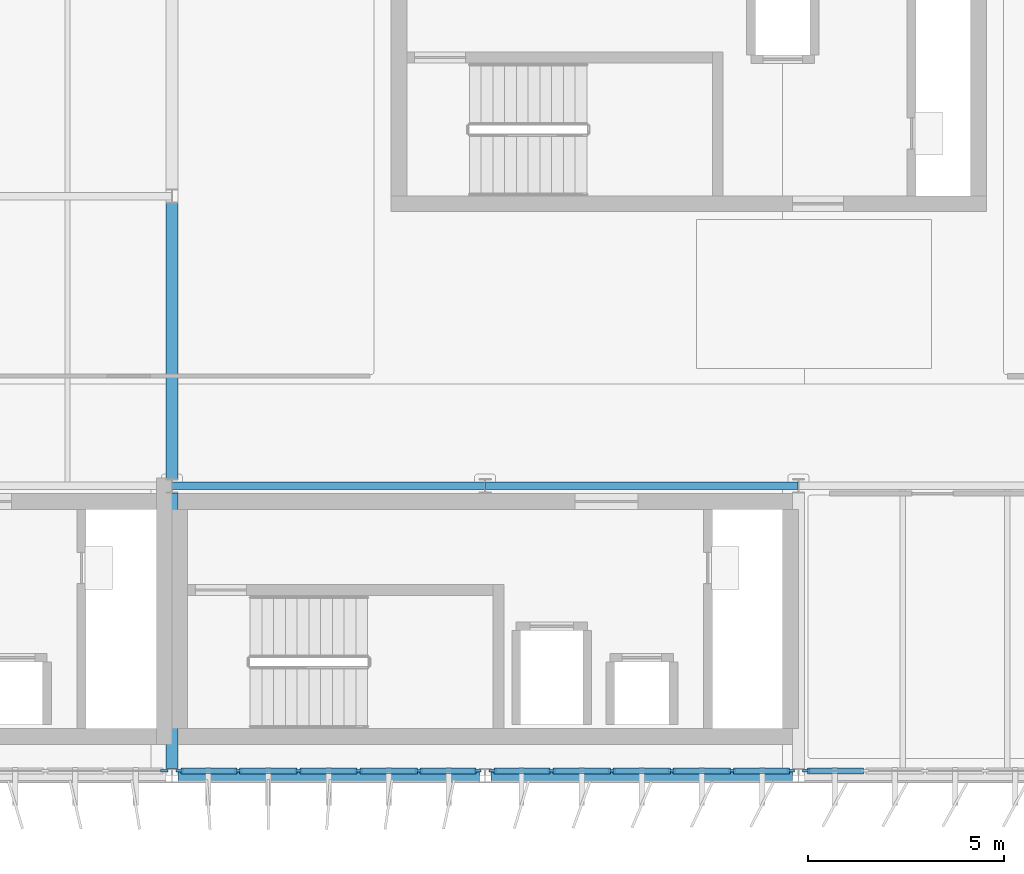
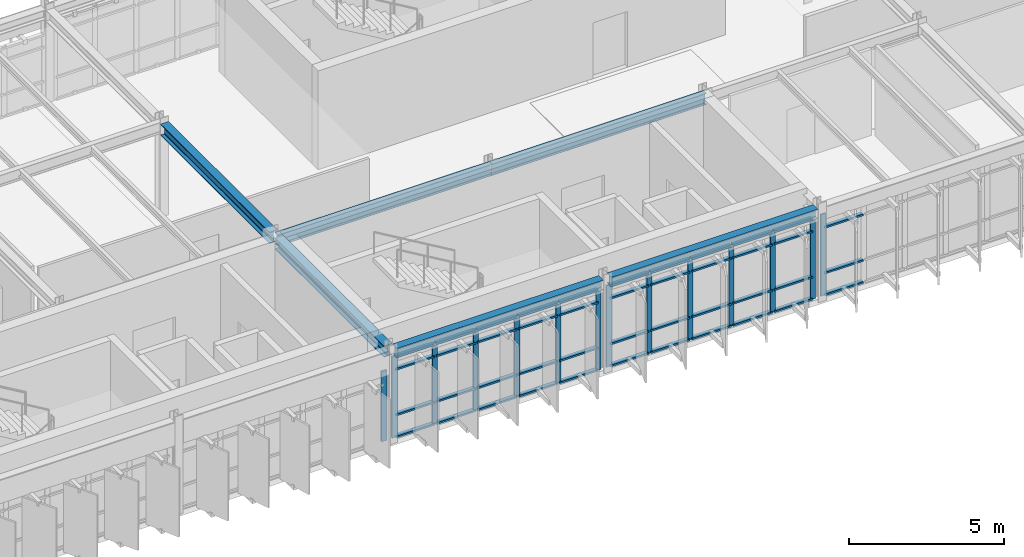
# One storey, part 11 of 45: 57 members, 6 beams, 4 elements without a shape of their own.
"""IFC4 building model written with IfcOpenShell, lengths in metres."""

from ifc_helpers import new_model, si_unit, direction, frame, origin, origin_2d, place, context, subcontext, project, spatial, rectangle, i_section, extrude, material, layer, layer_set, material_profile, profile_set, type_object, element, aggregate, save


model = new_model("IFC4")

# Units and contexts
model_context = context("Model", 3, precision=1e-05, world=origin(), true_north=direction((0.0, 1.0)))
body_context = subcontext(model_context, "Body", "Model", "MODEL_VIEW")
ifc_project = project(units=[si_unit("LENGTHUNIT", "METRE"), si_unit("AREAUNIT", "SQUARE_METRE"), si_unit("VOLUMEUNIT", "CUBIC_METRE"), si_unit("PLANEANGLEUNIT", "RADIAN"), si_unit("MASSUNIT", "GRAM", prefix="KILO")], contexts=[model_context])

# Site, building, storey
site_placement = place(None, origin())
site = spatial("IfcSite", under=ifc_project, at=site_placement, CompositionType="ELEMENT")
building_placement = place(site_placement, origin())
building = spatial("IfcBuilding", under=site, at=building_placement, Name="Valkorina Park Police Headquarters", CompositionType="ELEMENT")
storey_placement = place(building_placement, frame((0.0, 0.0, 23.300048828125)))
storey = spatial("IfcBuildingStorey", under=building, at=storey_placement, Name="L06", CompositionType="ELEMENT", Elevation=23.300048828125)

# Beams
ifc_material_1 = material(Name="Steel S355", Category="steel")
ifc_material_profile_1 = material_profile(ifc_material_1, i_section(OverallWidth=0.300048828125, OverallDepth=0.389892578125, WebThickness=0.010986328125, FlangeThickness=0.01904296875, FilletRadius=0.027099609375, at=origin_2d()), Name="HEA 400")
ifc_profile_set_1 = profile_set([ifc_material_profile_1], Name="Steel S355")
beam_type_1 = type_object("IfcBeamType", Name="BM-S355-HEA400-SPN", PredefinedType="SPANDREL", material=ifc_profile_set_1)
for number, where, z_axis, x_axis, name in (
    (1, (32.949951171875, 37.0, 3.48486328125), (1.0, 0.0, 0.0), (0.0, 1.0, 0.0), "L06 Framing Beam 2606"),
    (2, (40.949951171875, 37.0, 3.48486328125), (1.0, 0.0, 0.0), (0.0, 1.0, 0.0), "L06 Framing Beam 2607"),
):
    element("IfcBeam", number, at=place(storey_placement, frame(where, z_axis=z_axis, x_axis=x_axis)), inside=storey, type_object=beam_type_1, Name=name, PredefinedType="SPANDREL", context=body_context, shape_type="SweptSolid", body=[
        extrude(i_section(OverallWidth=0.300048828125, OverallDepth=0.389892578125, WebThickness=0.010986328125, FlangeThickness=0.01904296875, FilletRadius=0.027099609375, at=origin_2d()), origin(), (0.0, 0.0, 1.0), 7.699951171875),
    ])
ifc_material_profile_2 = material_profile(ifc_material_1, i_section(OverallWidth=0.300048828125, OverallDepth=0.449951171875, WebThickness=0.013916015625, FlangeThickness=0.02587890625, FilletRadius=0.027099609375, at=origin_2d()), Name="HEB 450")
ifc_profile_set_2 = profile_set([ifc_material_profile_2], Name="Steel S355")
beam_type_2 = type_object("IfcBeamType", Name="BM-S355-HEB450-BM", PredefinedType="BEAM", material=ifc_profile_set_2)
for number, where, z_axis, x_axis, name in (
    (3, (32.800048828125, 37.179931640625, 3.454833984375), (0.0, 1.0, 0.0), (-1.0, 0.0, 0.0), "L06 Framing Beam 2686"),
    (4, (32.800048828125, 44.580078125, 3.454833984375), (0.0, 1.0, 0.0), (-1.0, 0.0, 0.0), "L06 Framing Beam 2687"),
):
    element("IfcBeam", number, at=place(storey_placement, frame(where, z_axis=z_axis, x_axis=x_axis)), inside=storey, type_object=beam_type_2, Name=name, PredefinedType="BEAM", context=body_context, shape_type="SweptSolid", body=[
        extrude(i_section(OverallWidth=0.300048828125, OverallDepth=0.449951171875, WebThickness=0.013916015625, FlangeThickness=0.02587890625, FilletRadius=0.027099609375, at=origin_2d()), origin(), (0.0, 0.0, 1.0), 7.0400390625),
    ])
ifc_material_profile_3 = material_profile(ifc_material_1, i_section(OverallWidth=0.18994140625, OverallDepth=0.449951171875, WebThickness=0.009521484375, FlangeThickness=0.0146484375, FilletRadius=0.02099609375, at=origin_2d()), Name="IPE 450")
ifc_profile_set_3 = profile_set([ifc_material_profile_3], Name="Steel S355")
beam_type_3 = type_object("IfcBeamType", Name="BM-S355-IPE450-BM", PredefinedType="BEAM", material=ifc_profile_set_3)
for number, where, z_axis, x_axis, name in (
    (5, (32.806396484375, 44.39990234375, 3.454833984375), (1.0, 0.0, 0.0), (0.0, 1.0, 0.0), "L06 Framing Beam 2618"),
    (6, (40.806396484375, 44.39990234375, 3.454833984375), (1.0, 0.0, 0.0), (0.0, 1.0, 0.0), "L06 Framing Beam 2619"),
):
    element("IfcBeam", number, at=place(storey_placement, frame(where, z_axis=z_axis, x_axis=x_axis)), inside=storey, type_object=beam_type_3, Name=name, PredefinedType="BEAM", context=body_context, shape_type="SweptSolid", body=[
        extrude(i_section(OverallWidth=0.18994140625, OverallDepth=0.449951171875, WebThickness=0.009521484375, FlangeThickness=0.0146484375, FilletRadius=0.02099609375, at=origin_2d()), origin(), (0.0, 0.0, 1.0), 7.9873046875),
    ])

# Curtain wall, member
ifc_material_2 = material(Name="Thermally broken aluminium AW-6060", Category="aluminium")
ifc_layer_1 = layer(ifc_material_2, 0.18994140625)
ifc_layer_set_1 = layer_set([ifc_layer_1], Name="Thermally broken aluminium AW-6060")
curtain_wall_type_1 = type_object("IfcCurtainWallType", Name="CW-V5-7680x3220", PredefinedType="NOTDEFINED", material=ifc_layer_set_1)
curtain_wall_1_placement = place(storey_placement, origin())
curtain_wall_1 = element("IfcCurtainWall", 7, at=curtain_wall_1_placement, inside=storey, type_object=curtain_wall_type_1, Name="L06 Unitised Curtain Wall 126", PredefinedType="NOTDEFINED")
ifc_material_profile_4 = material_profile(ifc_material_2, rectangle(XDim=0.070068359375, YDim=0.18994140625, at=origin_2d()), Name="CWM-02 70x190")
ifc_profile_set_4 = profile_set([ifc_material_profile_4], Name="Thermally broken aluminium AW-6060")
member_type_1 = type_object("IfcMemberType", Name="CWM-70x190", PredefinedType="MULLION", material=ifc_profile_set_4)
member_1_placement = place(storey_placement, frame((48.9951171875, 37.1201171875, 0.0), z_axis=(0.0, 0.0, 1.0), x_axis=(0.0, -1.0, 0.0)))
member_1 = element("IfcMember", 8, at=member_1_placement, type_object=member_type_1, Name="CW-V5-768-322 mullion 6", PredefinedType="MULLION", context=body_context, shape_type="SweptSolid", body=[
    extrude(rectangle(XDim=0.070068359375, YDim=0.18994140625, at=origin_2d()), origin(), (0.0, 0.0, 1.0), 3.219970703125),
])

# Curtain wall, members
curtain_wall_2_placement = place(storey_placement, origin())
curtain_wall_2 = element("IfcCurtainWall", 9, at=curtain_wall_2_placement, inside=storey, type_object=curtain_wall_type_1, Name="L06 Unitised Curtain Wall 127", PredefinedType="NOTDEFINED")
member_2_placement = place(storey_placement, frame((48.60498046875, 37.1201171875, 0.0), z_axis=(0.0, 0.0, 1.0), x_axis=(0.0, -1.0, 0.0)))
member_2 = element("IfcMember", 10, at=member_2_placement, type_object=member_type_1, Name="CW-V5-768-322 mullion 1", PredefinedType="MULLION", context=body_context, shape_type="SweptSolid", body=[
    extrude(rectangle(XDim=0.070068359375, YDim=0.18994140625, at=origin_2d()), origin(), (0.0, 0.0, 1.0), 3.219970703125),
])
member_3_placement = place(storey_placement, frame((47.10400390625, 37.1201171875, 0.0), z_axis=(0.0, 0.0, 1.0), x_axis=(0.0, -1.0, 0.0)))
member_3 = element("IfcMember", 11, at=member_3_placement, type_object=member_type_1, Name="CW-V5-768-322 mullion 2", PredefinedType="MULLION", context=body_context, shape_type="SweptSolid", body=[
    extrude(rectangle(XDim=0.070068359375, YDim=0.18994140625, at=origin_2d()), origin(), (0.0, 0.0, 1.0), 3.219970703125),
])
member_4_placement = place(storey_placement, frame((45.568115234375, 37.1201171875, 0.0), z_axis=(0.0, 0.0, 1.0), x_axis=(0.0, -1.0, 0.0)))
member_4 = element("IfcMember", 12, at=member_4_placement, type_object=member_type_1, Name="CW-V5-768-322 mullion 3", PredefinedType="MULLION", context=body_context, shape_type="SweptSolid", body=[
    extrude(rectangle(XDim=0.070068359375, YDim=0.18994140625, at=origin_2d()), origin(), (0.0, 0.0, 1.0), 3.219970703125),
])
member_5_placement = place(storey_placement, frame((44.031982421875, 37.1201171875, 0.0), z_axis=(0.0, 0.0, 1.0), x_axis=(0.0, -1.0, 0.0)))
member_5 = element("IfcMember", 13, at=member_5_placement, type_object=member_type_1, Name="CW-V5-768-322 mullion 4", PredefinedType="MULLION", context=body_context, shape_type="SweptSolid", body=[
    extrude(rectangle(XDim=0.070068359375, YDim=0.18994140625, at=origin_2d()), origin(), (0.0, 0.0, 1.0), 3.219970703125),
])
member_6_placement = place(storey_placement, frame((42.49609375, 37.1201171875, 0.0), z_axis=(0.0, 0.0, 1.0), x_axis=(0.0, -1.0, 0.0)))
member_6 = element("IfcMember", 14, at=member_6_placement, type_object=member_type_1, Name="CW-V5-768-322 mullion 5", PredefinedType="MULLION", context=body_context, shape_type="SweptSolid", body=[
    extrude(rectangle(XDim=0.070068359375, YDim=0.18994140625, at=origin_2d()), origin(), (0.0, 0.0, 1.0), 3.219970703125),
])
member_7_placement = place(storey_placement, frame((40.9951171875, 37.1201171875, 0.0), z_axis=(0.0, 0.0, 1.0), x_axis=(0.0, -1.0, 0.0)))
member_7 = element("IfcMember", 15, at=member_7_placement, type_object=member_type_1, Name="CW-V5-768-322 mullion 6", PredefinedType="MULLION", context=body_context, shape_type="SweptSolid", body=[
    extrude(rectangle(XDim=0.070068359375, YDim=0.18994140625, at=origin_2d()), origin(), (0.0, 0.0, 1.0), 3.219970703125),
])

curtain_wall_3_placement = place(storey_placement, origin())
curtain_wall_3 = element("IfcCurtainWall", 16, at=curtain_wall_3_placement, inside=storey, type_object=curtain_wall_type_1, Name="L06 Unitised Curtain Wall 128", PredefinedType="NOTDEFINED")
member_8_placement = place(storey_placement, frame((40.60498046875, 37.1201171875, 0.0), z_axis=(0.0, 0.0, 1.0), x_axis=(0.0, -1.0, 0.0)))
member_8 = element("IfcMember", 17, at=member_8_placement, type_object=member_type_1, Name="CW-V5-768-322 mullion 1", PredefinedType="MULLION", context=body_context, shape_type="SweptSolid", body=[
    extrude(rectangle(XDim=0.070068359375, YDim=0.18994140625, at=origin_2d()), origin(), (0.0, 0.0, 1.0), 3.219970703125),
])
member_9_placement = place(storey_placement, frame((39.10400390625, 37.1201171875, 0.0), z_axis=(0.0, 0.0, 1.0), x_axis=(0.0, -1.0, 0.0)))
member_9 = element("IfcMember", 18, at=member_9_placement, type_object=member_type_1, Name="CW-V5-768-322 mullion 2", PredefinedType="MULLION", context=body_context, shape_type="SweptSolid", body=[
    extrude(rectangle(XDim=0.070068359375, YDim=0.18994140625, at=origin_2d()), origin(), (0.0, 0.0, 1.0), 3.219970703125),
])
member_10_placement = place(storey_placement, frame((37.568115234375, 37.1201171875, 0.0), z_axis=(0.0, 0.0, 1.0), x_axis=(0.0, -1.0, 0.0)))
member_10 = element("IfcMember", 19, at=member_10_placement, type_object=member_type_1, Name="CW-V5-768-322 mullion 3", PredefinedType="MULLION", context=body_context, shape_type="SweptSolid", body=[
    extrude(rectangle(XDim=0.070068359375, YDim=0.18994140625, at=origin_2d()), origin(), (0.0, 0.0, 1.0), 3.219970703125),
])
member_11_placement = place(storey_placement, frame((36.031982421875, 37.1201171875, 0.0), z_axis=(0.0, 0.0, 1.0), x_axis=(0.0, -1.0, 0.0)))
member_11 = element("IfcMember", 20, at=member_11_placement, type_object=member_type_1, Name="CW-V5-768-322 mullion 4", PredefinedType="MULLION", context=body_context, shape_type="SweptSolid", body=[
    extrude(rectangle(XDim=0.070068359375, YDim=0.18994140625, at=origin_2d()), origin(), (0.0, 0.0, 1.0), 3.219970703125),
])
member_12_placement = place(storey_placement, frame((34.49609375, 37.1201171875, 0.0), z_axis=(0.0, 0.0, 1.0), x_axis=(0.0, -1.0, 0.0)))
member_12 = element("IfcMember", 21, at=member_12_placement, type_object=member_type_1, Name="CW-V5-768-322 mullion 5", PredefinedType="MULLION", context=body_context, shape_type="SweptSolid", body=[
    extrude(rectangle(XDim=0.070068359375, YDim=0.18994140625, at=origin_2d()), origin(), (0.0, 0.0, 1.0), 3.219970703125),
])
member_13_placement = place(storey_placement, frame((32.9951171875, 37.1201171875, 0.0), z_axis=(0.0, 0.0, 1.0), x_axis=(0.0, -1.0, 0.0)))
member_13 = element("IfcMember", 22, at=member_13_placement, type_object=member_type_1, Name="CW-V5-768-322 mullion 6", PredefinedType="MULLION", context=body_context, shape_type="SweptSolid", body=[
    extrude(rectangle(XDim=0.070068359375, YDim=0.18994140625, at=origin_2d()), origin(), (0.0, 0.0, 1.0), 3.219970703125),
])

# Curtain wall, member
ifc_layer_2 = layer(ifc_material_2, 0.18994140625)
ifc_layer_set_2 = layer_set([ifc_layer_2], Name="Thermally broken aluminium AW-6060")
curtain_wall_type_2 = type_object("IfcCurtainWallType", Name="CW-V5-7680x2770", PredefinedType="NOTDEFINED", material=ifc_layer_set_2)
curtain_wall_4_placement = place(storey_placement, origin())
curtain_wall_4 = element("IfcCurtainWall", 23, at=curtain_wall_4_placement, inside=storey, type_object=curtain_wall_type_2, Name="L06 Unitised Curtain Wall 129", PredefinedType="NOTDEFINED")
member_14_placement = place(storey_placement, frame((32.60498046875, 37.1201171875, 0.0), z_axis=(0.0, 0.0, 1.0), x_axis=(0.0, -1.0, 0.0)))
member_14 = element("IfcMember", 24, at=member_14_placement, type_object=member_type_1, Name="CW-V5-768-277 mullion 1", PredefinedType="MULLION", context=body_context, shape_type="SweptSolid", body=[
    extrude(rectangle(XDim=0.070068359375, YDim=0.18994140625, at=origin_2d()), origin(), (0.0, 0.0, 1.0), 2.77001953125),
])
aggregate(curtain_wall_4, [member_14])

# Member
ifc_material_profile_5 = material_profile(ifc_material_2, rectangle(XDim=0.14990234375, YDim=0.070068359375, at=origin_2d()), Name="CWT-02 150x70")
ifc_profile_set_5 = profile_set([ifc_material_profile_5], Name="Thermally broken aluminium AW-6060")
member_type_2 = type_object("IfcMemberType", Name="CWT-150x70", PredefinedType="USERDEFINED", material=ifc_profile_set_5)
member_15_placement = place(storey_placement, frame((50.4609375, 37.1201171875, 0.034912109375), z_axis=(-1.0, 0.0, 0.0), x_axis=(0.0, -1.0, 0.0)))
member_15 = element("IfcMember", 25, at=member_15_placement, type_object=member_type_2, Name="CW-V5-768-322 transom 5.1", ObjectType="TRANSOM", PredefinedType="USERDEFINED", context=body_context, shape_type="SweptSolid", body=[
    extrude(rectangle(XDim=0.14990234375, YDim=0.070068359375, at=origin_2d()), origin(), (0.0, 0.0, 1.0), 1.430908203125),
])

member_16_placement = place(storey_placement, frame((50.4609375, 37.1201171875, 0.89990234375), z_axis=(-1.0, 0.0, 0.0), x_axis=(0.0, -1.0, 0.0)))
member_16 = element("IfcMember", 26, at=member_16_placement, type_object=member_type_2, Name="CW-V5-768-322 transom 5.2", ObjectType="TRANSOM", PredefinedType="USERDEFINED", context=body_context, shape_type="SweptSolid", body=[
    extrude(rectangle(XDim=0.14990234375, YDim=0.070068359375, at=origin_2d()), origin(), (0.0, 0.0, 1.0), 1.430908203125),
])

member_17_placement = place(storey_placement, frame((50.4609375, 37.1201171875, 2.699951171875), z_axis=(-1.0, 0.0, 0.0), x_axis=(0.0, -1.0, 0.0)))
member_17 = element("IfcMember", 27, at=member_17_placement, type_object=member_type_2, Name="CW-V5-768-322 transom 5.3", ObjectType="TRANSOM", PredefinedType="USERDEFINED", context=body_context, shape_type="SweptSolid", body=[
    extrude(rectangle(XDim=0.14990234375, YDim=0.070068359375, at=origin_2d()), origin(), (0.0, 0.0, 1.0), 1.430908203125),
])

aggregate(curtain_wall_1, [member_1, member_15, member_16, member_17])

member_18_placement = place(storey_placement, frame((48.570068359375, 37.1201171875, 0.034912109375), z_axis=(-1.0, 0.0, 0.0), x_axis=(0.0, -1.0, 0.0)))
member_18 = element("IfcMember", 28, at=member_18_placement, type_object=member_type_2, Name="CW-V5-768-322 transom 1.1", ObjectType="TRANSOM", PredefinedType="USERDEFINED", context=body_context, shape_type="SweptSolid", body=[
    extrude(rectangle(XDim=0.14990234375, YDim=0.070068359375, at=origin_2d()), origin(), (0.0, 0.0, 1.0), 1.43115234375),
])

member_19_placement = place(storey_placement, frame((48.570068359375, 37.1201171875, 0.89990234375), z_axis=(-1.0, 0.0, 0.0), x_axis=(0.0, -1.0, 0.0)))
member_19 = element("IfcMember", 29, at=member_19_placement, type_object=member_type_2, Name="CW-V5-768-322 transom 1.2", ObjectType="TRANSOM", PredefinedType="USERDEFINED", context=body_context, shape_type="SweptSolid", body=[
    extrude(rectangle(XDim=0.14990234375, YDim=0.070068359375, at=origin_2d()), origin(), (0.0, 0.0, 1.0), 1.43115234375),
])

member_20_placement = place(storey_placement, frame((48.570068359375, 37.1201171875, 2.699951171875), z_axis=(-1.0, 0.0, 0.0), x_axis=(0.0, -1.0, 0.0)))
member_20 = element("IfcMember", 30, at=member_20_placement, type_object=member_type_2, Name="CW-V5-768-322 transom 1.3", ObjectType="TRANSOM", PredefinedType="USERDEFINED", context=body_context, shape_type="SweptSolid", body=[
    extrude(rectangle(XDim=0.14990234375, YDim=0.070068359375, at=origin_2d()), origin(), (0.0, 0.0, 1.0), 1.43115234375),
])

member_21_placement = place(storey_placement, frame((48.570068359375, 37.1201171875, 3.18505859375), z_axis=(-1.0, 0.0, 0.0), x_axis=(0.0, -1.0, 0.0)))
member_21 = element("IfcMember", 31, at=member_21_placement, type_object=member_type_2, Name="CW-V5-768-322 transom 1.4", ObjectType="TRANSOM", PredefinedType="USERDEFINED", context=body_context, shape_type="SweptSolid", body=[
    extrude(rectangle(XDim=0.14990234375, YDim=0.070068359375, at=origin_2d()), origin(), (0.0, 0.0, 1.0), 1.43115234375),
])

member_22_placement = place(storey_placement, frame((47.069091796875, 37.1201171875, 0.034912109375), z_axis=(-1.0, 0.0, 0.0), x_axis=(0.0, -1.0, 0.0)))
member_22 = element("IfcMember", 32, at=member_22_placement, type_object=member_type_2, Name="CW-V5-768-322 transom 2.1", ObjectType="TRANSOM", PredefinedType="USERDEFINED", context=body_context, shape_type="SweptSolid", body=[
    extrude(rectangle(XDim=0.14990234375, YDim=0.070068359375, at=origin_2d()), origin(), (0.0, 0.0, 1.0), 1.466064453125),
])

member_23_placement = place(storey_placement, frame((47.069091796875, 37.1201171875, 0.89990234375), z_axis=(-1.0, 0.0, 0.0), x_axis=(0.0, -1.0, 0.0)))
member_23 = element("IfcMember", 33, at=member_23_placement, type_object=member_type_2, Name="CW-V5-768-322 transom 2.2", ObjectType="TRANSOM", PredefinedType="USERDEFINED", context=body_context, shape_type="SweptSolid", body=[
    extrude(rectangle(XDim=0.14990234375, YDim=0.070068359375, at=origin_2d()), origin(), (0.0, 0.0, 1.0), 1.466064453125),
])

member_24_placement = place(storey_placement, frame((47.069091796875, 37.1201171875, 2.699951171875), z_axis=(-1.0, 0.0, 0.0), x_axis=(0.0, -1.0, 0.0)))
member_24 = element("IfcMember", 34, at=member_24_placement, type_object=member_type_2, Name="CW-V5-768-322 transom 2.3", ObjectType="TRANSOM", PredefinedType="USERDEFINED", context=body_context, shape_type="SweptSolid", body=[
    extrude(rectangle(XDim=0.14990234375, YDim=0.070068359375, at=origin_2d()), origin(), (0.0, 0.0, 1.0), 1.466064453125),
])

member_25_placement = place(storey_placement, frame((47.069091796875, 37.1201171875, 3.18505859375), z_axis=(-1.0, 0.0, 0.0), x_axis=(0.0, -1.0, 0.0)))
member_25 = element("IfcMember", 35, at=member_25_placement, type_object=member_type_2, Name="CW-V5-768-322 transom 2.4", ObjectType="TRANSOM", PredefinedType="USERDEFINED", context=body_context, shape_type="SweptSolid", body=[
    extrude(rectangle(XDim=0.14990234375, YDim=0.070068359375, at=origin_2d()), origin(), (0.0, 0.0, 1.0), 1.466064453125),
])

member_26_placement = place(storey_placement, frame((45.532958984375, 37.1201171875, 0.034912109375), z_axis=(-1.0, 0.0, 0.0), x_axis=(0.0, -1.0, 0.0)))
member_26 = element("IfcMember", 36, at=member_26_placement, type_object=member_type_2, Name="CW-V5-768-322 transom 3.1", ObjectType="TRANSOM", PredefinedType="USERDEFINED", context=body_context, shape_type="SweptSolid", body=[
    extrude(rectangle(XDim=0.14990234375, YDim=0.070068359375, at=origin_2d()), origin(), (0.0, 0.0, 1.0), 1.466064453125),
])

member_27_placement = place(storey_placement, frame((45.532958984375, 37.1201171875, 0.89990234375), z_axis=(-1.0, 0.0, 0.0), x_axis=(0.0, -1.0, 0.0)))
member_27 = element("IfcMember", 37, at=member_27_placement, type_object=member_type_2, Name="CW-V5-768-322 transom 3.2", ObjectType="TRANSOM", PredefinedType="USERDEFINED", context=body_context, shape_type="SweptSolid", body=[
    extrude(rectangle(XDim=0.14990234375, YDim=0.070068359375, at=origin_2d()), origin(), (0.0, 0.0, 1.0), 1.466064453125),
])

member_28_placement = place(storey_placement, frame((45.532958984375, 37.1201171875, 2.699951171875), z_axis=(-1.0, 0.0, 0.0), x_axis=(0.0, -1.0, 0.0)))
member_28 = element("IfcMember", 38, at=member_28_placement, type_object=member_type_2, Name="CW-V5-768-322 transom 3.3", ObjectType="TRANSOM", PredefinedType="USERDEFINED", context=body_context, shape_type="SweptSolid", body=[
    extrude(rectangle(XDim=0.14990234375, YDim=0.070068359375, at=origin_2d()), origin(), (0.0, 0.0, 1.0), 1.466064453125),
])

member_29_placement = place(storey_placement, frame((45.532958984375, 37.1201171875, 3.18505859375), z_axis=(-1.0, 0.0, 0.0), x_axis=(0.0, -1.0, 0.0)))
member_29 = element("IfcMember", 39, at=member_29_placement, type_object=member_type_2, Name="CW-V5-768-322 transom 3.4", ObjectType="TRANSOM", PredefinedType="USERDEFINED", context=body_context, shape_type="SweptSolid", body=[
    extrude(rectangle(XDim=0.14990234375, YDim=0.070068359375, at=origin_2d()), origin(), (0.0, 0.0, 1.0), 1.466064453125),
])

member_30_placement = place(storey_placement, frame((43.9970703125, 37.1201171875, 0.034912109375), z_axis=(-1.0, 0.0, 0.0), x_axis=(0.0, -1.0, 0.0)))
member_30 = element("IfcMember", 40, at=member_30_placement, type_object=member_type_2, Name="CW-V5-768-322 transom 4.1", ObjectType="TRANSOM", PredefinedType="USERDEFINED", context=body_context, shape_type="SweptSolid", body=[
    extrude(rectangle(XDim=0.14990234375, YDim=0.070068359375, at=origin_2d()), origin(), (0.0, 0.0, 1.0), 1.466064453125),
])

member_31_placement = place(storey_placement, frame((43.9970703125, 37.1201171875, 0.89990234375), z_axis=(-1.0, 0.0, 0.0), x_axis=(0.0, -1.0, 0.0)))
member_31 = element("IfcMember", 41, at=member_31_placement, type_object=member_type_2, Name="CW-V5-768-322 transom 4.2", ObjectType="TRANSOM", PredefinedType="USERDEFINED", context=body_context, shape_type="SweptSolid", body=[
    extrude(rectangle(XDim=0.14990234375, YDim=0.070068359375, at=origin_2d()), origin(), (0.0, 0.0, 1.0), 1.466064453125),
])

member_32_placement = place(storey_placement, frame((43.9970703125, 37.1201171875, 2.699951171875), z_axis=(-1.0, 0.0, 0.0), x_axis=(0.0, -1.0, 0.0)))
member_32 = element("IfcMember", 42, at=member_32_placement, type_object=member_type_2, Name="CW-V5-768-322 transom 4.3", ObjectType="TRANSOM", PredefinedType="USERDEFINED", context=body_context, shape_type="SweptSolid", body=[
    extrude(rectangle(XDim=0.14990234375, YDim=0.070068359375, at=origin_2d()), origin(), (0.0, 0.0, 1.0), 1.466064453125),
])

member_33_placement = place(storey_placement, frame((43.9970703125, 37.1201171875, 3.18505859375), z_axis=(-1.0, 0.0, 0.0), x_axis=(0.0, -1.0, 0.0)))
member_33 = element("IfcMember", 43, at=member_33_placement, type_object=member_type_2, Name="CW-V5-768-322 transom 4.4", ObjectType="TRANSOM", PredefinedType="USERDEFINED", context=body_context, shape_type="SweptSolid", body=[
    extrude(rectangle(XDim=0.14990234375, YDim=0.070068359375, at=origin_2d()), origin(), (0.0, 0.0, 1.0), 1.466064453125),
])

member_34_placement = place(storey_placement, frame((42.4609375, 37.1201171875, 0.034912109375), z_axis=(-1.0, 0.0, 0.0), x_axis=(0.0, -1.0, 0.0)))
member_34 = element("IfcMember", 44, at=member_34_placement, type_object=member_type_2, Name="CW-V5-768-322 transom 5.1", ObjectType="TRANSOM", PredefinedType="USERDEFINED", context=body_context, shape_type="SweptSolid", body=[
    extrude(rectangle(XDim=0.14990234375, YDim=0.070068359375, at=origin_2d()), origin(), (0.0, 0.0, 1.0), 1.430908203125),
])

member_35_placement = place(storey_placement, frame((42.4609375, 37.1201171875, 0.89990234375), z_axis=(-1.0, 0.0, 0.0), x_axis=(0.0, -1.0, 0.0)))
member_35 = element("IfcMember", 45, at=member_35_placement, type_object=member_type_2, Name="CW-V5-768-322 transom 5.2", ObjectType="TRANSOM", PredefinedType="USERDEFINED", context=body_context, shape_type="SweptSolid", body=[
    extrude(rectangle(XDim=0.14990234375, YDim=0.070068359375, at=origin_2d()), origin(), (0.0, 0.0, 1.0), 1.430908203125),
])

member_36_placement = place(storey_placement, frame((42.4609375, 37.1201171875, 2.699951171875), z_axis=(-1.0, 0.0, 0.0), x_axis=(0.0, -1.0, 0.0)))
member_36 = element("IfcMember", 46, at=member_36_placement, type_object=member_type_2, Name="CW-V5-768-322 transom 5.3", ObjectType="TRANSOM", PredefinedType="USERDEFINED", context=body_context, shape_type="SweptSolid", body=[
    extrude(rectangle(XDim=0.14990234375, YDim=0.070068359375, at=origin_2d()), origin(), (0.0, 0.0, 1.0), 1.430908203125),
])

member_37_placement = place(storey_placement, frame((42.4609375, 37.1201171875, 3.18505859375), z_axis=(-1.0, 0.0, 0.0), x_axis=(0.0, -1.0, 0.0)))
member_37 = element("IfcMember", 47, at=member_37_placement, type_object=member_type_2, Name="CW-V5-768-322 transom 5.4", ObjectType="TRANSOM", PredefinedType="USERDEFINED", context=body_context, shape_type="SweptSolid", body=[
    extrude(rectangle(XDim=0.14990234375, YDim=0.070068359375, at=origin_2d()), origin(), (0.0, 0.0, 1.0), 1.430908203125),
])

aggregate(curtain_wall_2, [member_2, member_3, member_4, member_5, member_6, member_7, member_18, member_19, member_20, member_21, member_22, member_23, member_24, member_25, member_26, member_27, member_28, member_29, member_30, member_31, member_32, member_33, member_34, member_35, member_36, member_37])

member_38_placement = place(storey_placement, frame((40.570068359375, 37.1201171875, 0.034912109375), z_axis=(-1.0, 0.0, 0.0), x_axis=(0.0, -1.0, 0.0)))
member_38 = element("IfcMember", 48, at=member_38_placement, type_object=member_type_2, Name="CW-V5-768-322 transom 1.1", ObjectType="TRANSOM", PredefinedType="USERDEFINED", context=body_context, shape_type="SweptSolid", body=[
    extrude(rectangle(XDim=0.14990234375, YDim=0.070068359375, at=origin_2d()), origin(), (0.0, 0.0, 1.0), 1.43115234375),
])

member_39_placement = place(storey_placement, frame((40.570068359375, 37.1201171875, 0.89990234375), z_axis=(-1.0, 0.0, 0.0), x_axis=(0.0, -1.0, 0.0)))
member_39 = element("IfcMember", 49, at=member_39_placement, type_object=member_type_2, Name="CW-V5-768-322 transom 1.2", ObjectType="TRANSOM", PredefinedType="USERDEFINED", context=body_context, shape_type="SweptSolid", body=[
    extrude(rectangle(XDim=0.14990234375, YDim=0.070068359375, at=origin_2d()), origin(), (0.0, 0.0, 1.0), 1.43115234375),
])

member_40_placement = place(storey_placement, frame((40.570068359375, 37.1201171875, 2.699951171875), z_axis=(-1.0, 0.0, 0.0), x_axis=(0.0, -1.0, 0.0)))
member_40 = element("IfcMember", 50, at=member_40_placement, type_object=member_type_2, Name="CW-V5-768-322 transom 1.3", ObjectType="TRANSOM", PredefinedType="USERDEFINED", context=body_context, shape_type="SweptSolid", body=[
    extrude(rectangle(XDim=0.14990234375, YDim=0.070068359375, at=origin_2d()), origin(), (0.0, 0.0, 1.0), 1.43115234375),
])

member_41_placement = place(storey_placement, frame((40.570068359375, 37.1201171875, 3.18505859375), z_axis=(-1.0, 0.0, 0.0), x_axis=(0.0, -1.0, 0.0)))
member_41 = element("IfcMember", 51, at=member_41_placement, type_object=member_type_2, Name="CW-V5-768-322 transom 1.4", ObjectType="TRANSOM", PredefinedType="USERDEFINED", context=body_context, shape_type="SweptSolid", body=[
    extrude(rectangle(XDim=0.14990234375, YDim=0.070068359375, at=origin_2d()), origin(), (0.0, 0.0, 1.0), 1.43115234375),
])

member_42_placement = place(storey_placement, frame((39.069091796875, 37.1201171875, 0.034912109375), z_axis=(-1.0, 0.0, 0.0), x_axis=(0.0, -1.0, 0.0)))
member_42 = element("IfcMember", 52, at=member_42_placement, type_object=member_type_2, Name="CW-V5-768-322 transom 2.1", ObjectType="TRANSOM", PredefinedType="USERDEFINED", context=body_context, shape_type="SweptSolid", body=[
    extrude(rectangle(XDim=0.14990234375, YDim=0.070068359375, at=origin_2d()), origin(), (0.0, 0.0, 1.0), 1.466064453125),
])

member_43_placement = place(storey_placement, frame((39.069091796875, 37.1201171875, 0.89990234375), z_axis=(-1.0, 0.0, 0.0), x_axis=(0.0, -1.0, 0.0)))
member_43 = element("IfcMember", 53, at=member_43_placement, type_object=member_type_2, Name="CW-V5-768-322 transom 2.2", ObjectType="TRANSOM", PredefinedType="USERDEFINED", context=body_context, shape_type="SweptSolid", body=[
    extrude(rectangle(XDim=0.14990234375, YDim=0.070068359375, at=origin_2d()), origin(), (0.0, 0.0, 1.0), 1.466064453125),
])

member_44_placement = place(storey_placement, frame((39.069091796875, 37.1201171875, 2.699951171875), z_axis=(-1.0, 0.0, 0.0), x_axis=(0.0, -1.0, 0.0)))
member_44 = element("IfcMember", 54, at=member_44_placement, type_object=member_type_2, Name="CW-V5-768-322 transom 2.3", ObjectType="TRANSOM", PredefinedType="USERDEFINED", context=body_context, shape_type="SweptSolid", body=[
    extrude(rectangle(XDim=0.14990234375, YDim=0.070068359375, at=origin_2d()), origin(), (0.0, 0.0, 1.0), 1.466064453125),
])

member_45_placement = place(storey_placement, frame((39.069091796875, 37.1201171875, 3.18505859375), z_axis=(-1.0, 0.0, 0.0), x_axis=(0.0, -1.0, 0.0)))
member_45 = element("IfcMember", 55, at=member_45_placement, type_object=member_type_2, Name="CW-V5-768-322 transom 2.4", ObjectType="TRANSOM", PredefinedType="USERDEFINED", context=body_context, shape_type="SweptSolid", body=[
    extrude(rectangle(XDim=0.14990234375, YDim=0.070068359375, at=origin_2d()), origin(), (0.0, 0.0, 1.0), 1.466064453125),
])

member_46_placement = place(storey_placement, frame((37.532958984375, 37.1201171875, 0.034912109375), z_axis=(-1.0, 0.0, 0.0), x_axis=(0.0, -1.0, 0.0)))
member_46 = element("IfcMember", 56, at=member_46_placement, type_object=member_type_2, Name="CW-V5-768-322 transom 3.1", ObjectType="TRANSOM", PredefinedType="USERDEFINED", context=body_context, shape_type="SweptSolid", body=[
    extrude(rectangle(XDim=0.14990234375, YDim=0.070068359375, at=origin_2d()), origin(), (0.0, 0.0, 1.0), 1.466064453125),
])

member_47_placement = place(storey_placement, frame((37.532958984375, 37.1201171875, 0.89990234375), z_axis=(-1.0, 0.0, 0.0), x_axis=(0.0, -1.0, 0.0)))
member_47 = element("IfcMember", 57, at=member_47_placement, type_object=member_type_2, Name="CW-V5-768-322 transom 3.2", ObjectType="TRANSOM", PredefinedType="USERDEFINED", context=body_context, shape_type="SweptSolid", body=[
    extrude(rectangle(XDim=0.14990234375, YDim=0.070068359375, at=origin_2d()), origin(), (0.0, 0.0, 1.0), 1.466064453125),
])

member_48_placement = place(storey_placement, frame((37.532958984375, 37.1201171875, 2.699951171875), z_axis=(-1.0, 0.0, 0.0), x_axis=(0.0, -1.0, 0.0)))
member_48 = element("IfcMember", 58, at=member_48_placement, type_object=member_type_2, Name="CW-V5-768-322 transom 3.3", ObjectType="TRANSOM", PredefinedType="USERDEFINED", context=body_context, shape_type="SweptSolid", body=[
    extrude(rectangle(XDim=0.14990234375, YDim=0.070068359375, at=origin_2d()), origin(), (0.0, 0.0, 1.0), 1.466064453125),
])

member_49_placement = place(storey_placement, frame((37.532958984375, 37.1201171875, 3.18505859375), z_axis=(-1.0, 0.0, 0.0), x_axis=(0.0, -1.0, 0.0)))
member_49 = element("IfcMember", 59, at=member_49_placement, type_object=member_type_2, Name="CW-V5-768-322 transom 3.4", ObjectType="TRANSOM", PredefinedType="USERDEFINED", context=body_context, shape_type="SweptSolid", body=[
    extrude(rectangle(XDim=0.14990234375, YDim=0.070068359375, at=origin_2d()), origin(), (0.0, 0.0, 1.0), 1.466064453125),
])

member_50_placement = place(storey_placement, frame((35.9970703125, 37.1201171875, 0.034912109375), z_axis=(-1.0, 0.0, 0.0), x_axis=(0.0, -1.0, 0.0)))
member_50 = element("IfcMember", 60, at=member_50_placement, type_object=member_type_2, Name="CW-V5-768-322 transom 4.1", ObjectType="TRANSOM", PredefinedType="USERDEFINED", context=body_context, shape_type="SweptSolid", body=[
    extrude(rectangle(XDim=0.14990234375, YDim=0.070068359375, at=origin_2d()), origin(), (0.0, 0.0, 1.0), 1.466064453125),
])

member_51_placement = place(storey_placement, frame((35.9970703125, 37.1201171875, 0.89990234375), z_axis=(-1.0, 0.0, 0.0), x_axis=(0.0, -1.0, 0.0)))
member_51 = element("IfcMember", 61, at=member_51_placement, type_object=member_type_2, Name="CW-V5-768-322 transom 4.2", ObjectType="TRANSOM", PredefinedType="USERDEFINED", context=body_context, shape_type="SweptSolid", body=[
    extrude(rectangle(XDim=0.14990234375, YDim=0.070068359375, at=origin_2d()), origin(), (0.0, 0.0, 1.0), 1.466064453125),
])

member_52_placement = place(storey_placement, frame((35.9970703125, 37.1201171875, 2.699951171875), z_axis=(-1.0, 0.0, 0.0), x_axis=(0.0, -1.0, 0.0)))
member_52 = element("IfcMember", 62, at=member_52_placement, type_object=member_type_2, Name="CW-V5-768-322 transom 4.3", ObjectType="TRANSOM", PredefinedType="USERDEFINED", context=body_context, shape_type="SweptSolid", body=[
    extrude(rectangle(XDim=0.14990234375, YDim=0.070068359375, at=origin_2d()), origin(), (0.0, 0.0, 1.0), 1.466064453125),
])

member_53_placement = place(storey_placement, frame((35.9970703125, 37.1201171875, 3.18505859375), z_axis=(-1.0, 0.0, 0.0), x_axis=(0.0, -1.0, 0.0)))
member_53 = element("IfcMember", 63, at=member_53_placement, type_object=member_type_2, Name="CW-V5-768-322 transom 4.4", ObjectType="TRANSOM", PredefinedType="USERDEFINED", context=body_context, shape_type="SweptSolid", body=[
    extrude(rectangle(XDim=0.14990234375, YDim=0.070068359375, at=origin_2d()), origin(), (0.0, 0.0, 1.0), 1.466064453125),
])

member_54_placement = place(storey_placement, frame((34.4609375, 37.1201171875, 0.034912109375), z_axis=(-1.0, 0.0, 0.0), x_axis=(0.0, -1.0, 0.0)))
member_54 = element("IfcMember", 64, at=member_54_placement, type_object=member_type_2, Name="CW-V5-768-322 transom 5.1", ObjectType="TRANSOM", PredefinedType="USERDEFINED", context=body_context, shape_type="SweptSolid", body=[
    extrude(rectangle(XDim=0.14990234375, YDim=0.070068359375, at=origin_2d()), origin(), (0.0, 0.0, 1.0), 1.430908203125),
])

member_55_placement = place(storey_placement, frame((34.4609375, 37.1201171875, 0.89990234375), z_axis=(-1.0, 0.0, 0.0), x_axis=(0.0, -1.0, 0.0)))
member_55 = element("IfcMember", 65, at=member_55_placement, type_object=member_type_2, Name="CW-V5-768-322 transom 5.2", ObjectType="TRANSOM", PredefinedType="USERDEFINED", context=body_context, shape_type="SweptSolid", body=[
    extrude(rectangle(XDim=0.14990234375, YDim=0.070068359375, at=origin_2d()), origin(), (0.0, 0.0, 1.0), 1.430908203125),
])

member_56_placement = place(storey_placement, frame((34.4609375, 37.1201171875, 2.699951171875), z_axis=(-1.0, 0.0, 0.0), x_axis=(0.0, -1.0, 0.0)))
member_56 = element("IfcMember", 66, at=member_56_placement, type_object=member_type_2, Name="CW-V5-768-322 transom 5.3", ObjectType="TRANSOM", PredefinedType="USERDEFINED", context=body_context, shape_type="SweptSolid", body=[
    extrude(rectangle(XDim=0.14990234375, YDim=0.070068359375, at=origin_2d()), origin(), (0.0, 0.0, 1.0), 1.430908203125),
])

member_57_placement = place(storey_placement, frame((34.4609375, 37.1201171875, 3.18505859375), z_axis=(-1.0, 0.0, 0.0), x_axis=(0.0, -1.0, 0.0)))
member_57 = element("IfcMember", 67, at=member_57_placement, type_object=member_type_2, Name="CW-V5-768-322 transom 5.4", ObjectType="TRANSOM", PredefinedType="USERDEFINED", context=body_context, shape_type="SweptSolid", body=[
    extrude(rectangle(XDim=0.14990234375, YDim=0.070068359375, at=origin_2d()), origin(), (0.0, 0.0, 1.0), 1.430908203125),
])

aggregate(curtain_wall_3, [member_8, member_9, member_10, member_11, member_12, member_13, member_38, member_39, member_40, member_41, member_42, member_43, member_44, member_45, member_46, member_47, member_48, member_49, member_50, member_51, member_52, member_53, member_54, member_55, member_56, member_57])

save(model, "model.ifc")
